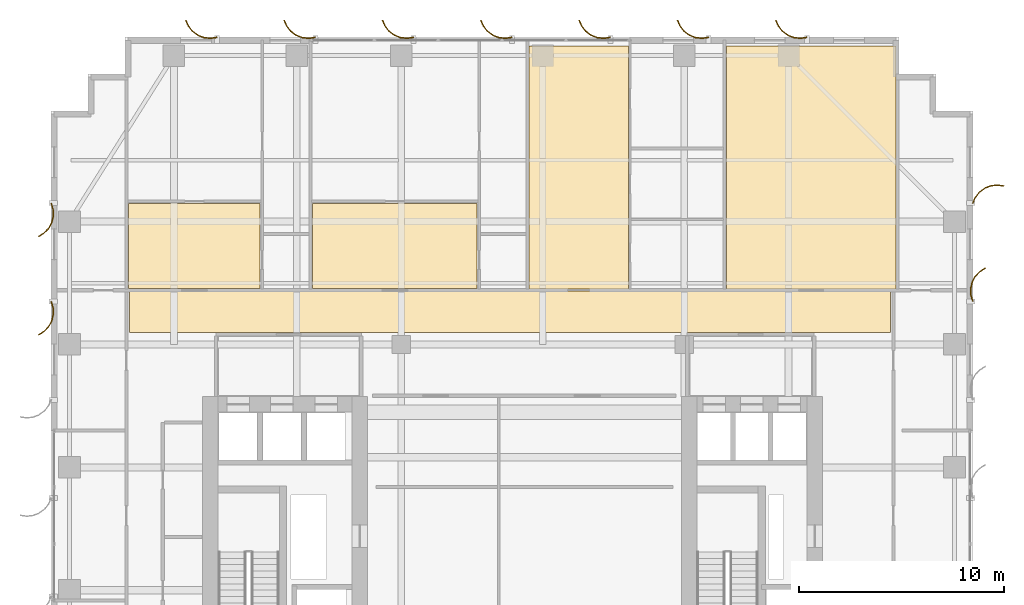
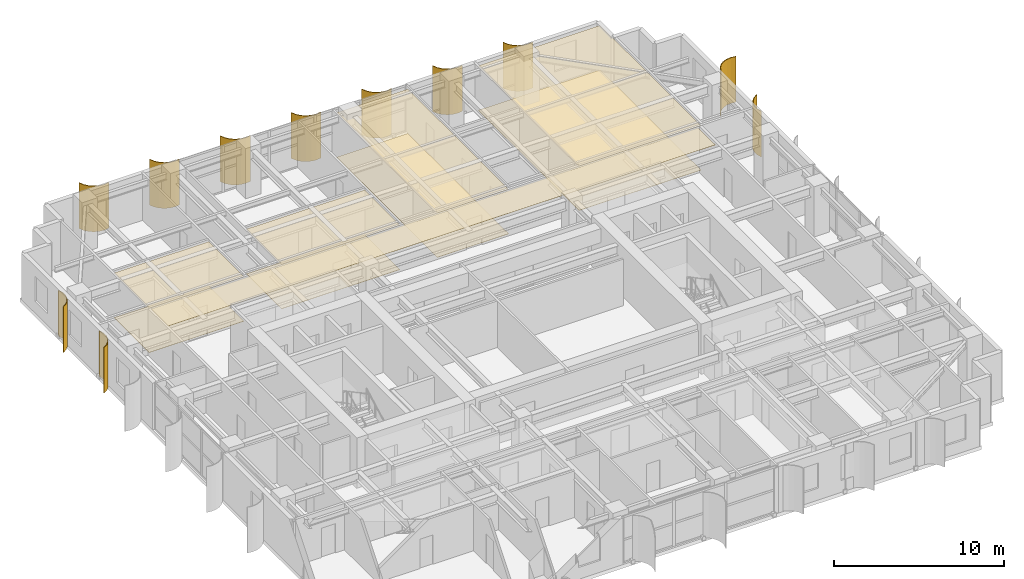
# One storey, part 22 of 22: 11 shading devices, 9 coverings.
"""IFC4 building model written with IfcOpenShell, lengths in metres."""

from ifc_helpers import new_model, si_unit, direction, frame, origin, place, context, subcontext, project, spatial, polyline, outline, extrude, source, transform, mapped, material, layer, layer_set, type_object, element, save


model = new_model("IFC4")

# Units and contexts
model_context = context("Model", 3, precision=1e-05, world=origin(), true_north=direction((0.0, 1.0)))
body_context = subcontext(model_context, "Body", "Model", "MODEL_VIEW")
ifc_project = project(units=[si_unit("LENGTHUNIT", "METRE"), si_unit("AREAUNIT", "SQUARE_METRE"), si_unit("VOLUMEUNIT", "CUBIC_METRE"), si_unit("PLANEANGLEUNIT", "RADIAN"), si_unit("MASSUNIT", "GRAM", prefix="KILO")], contexts=[model_context])

# Site, building, storey
site_placement = place(None, origin())
site = spatial("IfcSite", under=ifc_project, at=site_placement, CompositionType="ELEMENT")
building_placement = place(site_placement, origin())
building = spatial("IfcBuilding", under=site, at=building_placement, Name="Khoralis Quay Care Tower", CompositionType="ELEMENT")
storey_placement = place(building_placement, frame((0.0, 0.0, 94.5)))
storey = spatial("IfcBuildingStorey", under=building, at=storey_placement, Name="L24", CompositionType="ELEMENT", Elevation=94.5)

# Coverings
ifc_material_1 = material(Name="Mineral-fibre acoustic ceiling tile")
ifc_layer_1 = layer(ifc_material_1, 0.01806640625)
ifc_layer_set_1 = layer_set([ifc_layer_1], Name="Mineral-fibre acoustic ceiling tile")
covering_type_1 = type_object("IfcCoveringType", Name="COV-CEIL-AC18", PredefinedType="CEILING", material=ifc_layer_set_1)
covering_1_placement = place(storey_placement, frame((0.0, 0.0, 3.19189453125)))
element("IfcCovering", 1, at=covering_1_placement, inside=storey, type_object=covering_type_1, Name="Suspended Acoustic Ceiling SP-L24-CORR-N", PredefinedType="CEILING", context=body_context, shape_type="SweptSolid", body=[
    extrude(outline(polyline([(3.820068359375, 30.590087890625), (40.97998046875, 30.590087890625), (40.97998046875, 32.60009765625), (3.820068359375, 32.60009765625), (3.820068359375, 30.590087890625)])), origin(), (0.0, 0.0, 1.0), 0.01806640625),
])
covering_2_placement = place(storey_placement, frame((0.0, 0.0, 3.19189453125)))
element("IfcCovering", 2, at=covering_2_placement, inside=storey, type_object=covering_type_1, Name="Suspended Acoustic Ceiling SP-L24-NB-CARE0", PredefinedType="CEILING", context=body_context, shape_type="SweptSolid", body=[
    extrude(outline(polyline([(3.780029296875, 32.739990234375), (10.2099609375, 32.739990234375), (10.2099609375, 36.889892578125), (3.780029296875, 36.889892578125), (3.780029296875, 32.739990234375)])), origin(), (0.0, 0.0, 1.0), 0.01806640625),
])
covering_3_placement = place(storey_placement, frame((0.0, 0.0, 3.19189453125)))
element("IfcCovering", 3, at=covering_3_placement, inside=storey, type_object=covering_type_1, Name="Suspended Acoustic Ceiling SP-L24-NB-CARE1", PredefinedType="CEILING", context=body_context, shape_type="SweptSolid", body=[
    extrude(outline(polyline([(12.760009765625, 32.739990234375), (20.800048828125, 32.739990234375), (20.800048828125, 36.889892578125), (12.760009765625, 36.889892578125), (12.760009765625, 32.739990234375)])), origin(), (0.0, 0.0, 1.0), 0.01806640625),
])
covering_4_placement = place(storey_placement, frame((0.0, 0.0, 3.19189453125)))
element("IfcCovering", 4, at=covering_4_placement, inside=storey, type_object=covering_type_1, Name="Suspended Acoustic Ceiling SP-L24-NB-LIV2", PredefinedType="CEILING", context=body_context, shape_type="SweptSolid", body=[
    extrude(outline(polyline([(23.330078125, 32.719970703125), (28.177978515625, 32.719970703125), (28.177978515625, 44.580078125), (23.330078125, 44.580078125), (23.330078125, 32.719970703125)])), origin(), (0.0, 0.0, 1.0), 0.01806640625),
])
covering_5_placement = place(storey_placement, frame((0.0, 0.0, 3.19189453125)))
element("IfcCovering", 5, at=covering_5_placement, inside=storey, type_object=covering_type_1, Name="Suspended Acoustic Ceiling SP-L24-NB-COM3", PredefinedType="CEILING", context=body_context, shape_type="SweptSolid", body=[
    extrude(outline(polyline([(32.9599609375, 32.719970703125), (41.239990234375, 32.719970703125), (41.239990234375, 44.580078125), (32.9599609375, 44.580078125), (32.9599609375, 32.719970703125)])), origin(), (0.0, 0.0, 1.0), 0.01806640625),
])
ifc_material_2 = material(Name="Porcelain and non-slip vinyl flooring")
ifc_layer_2 = layer(ifc_material_2, 0.02001953125)
ifc_layer_set_2 = layer_set([ifc_layer_2], Name="Porcelain and non-slip vinyl flooring")
covering_type_2 = type_object("IfcCoveringType", Name="COV-FLOOR-20", PredefinedType="FLOORING", material=ifc_layer_set_2)
covering_6_placement = place(storey_placement, origin())
element("IfcCovering", 6, at=covering_6_placement, inside=storey, type_object=covering_type_2, Name="Resilient Healthcare Flooring SP-L24-NB-CARE0", PredefinedType="FLOORING", context=body_context, shape_type="SweptSolid", body=[
    extrude(outline(polyline([(3.780029296875, 32.739990234375), (10.2099609375, 32.739990234375), (10.2099609375, 36.889892578125), (3.780029296875, 36.889892578125), (3.780029296875, 32.739990234375)])), origin(), (0.0, 0.0, 1.0), 0.02001953125),
])
covering_7_placement = place(storey_placement, origin())
element("IfcCovering", 7, at=covering_7_placement, inside=storey, type_object=covering_type_2, Name="Resilient Healthcare Flooring SP-L24-NB-CARE1", PredefinedType="FLOORING", context=body_context, shape_type="SweptSolid", body=[
    extrude(outline(polyline([(12.760009765625, 32.739990234375), (20.800048828125, 32.739990234375), (20.800048828125, 36.889892578125), (12.760009765625, 36.889892578125), (12.760009765625, 32.739990234375)])), origin(), (0.0, 0.0, 1.0), 0.02001953125),
])
covering_8_placement = place(storey_placement, origin())
element("IfcCovering", 8, at=covering_8_placement, inside=storey, type_object=covering_type_2, Name="Resilient Healthcare Flooring SP-L24-NB-LIV2", PredefinedType="FLOORING", context=body_context, shape_type="SweptSolid", body=[
    extrude(outline(polyline([(23.330078125, 32.719970703125), (28.177978515625, 32.719970703125), (28.177978515625, 44.580078125), (23.330078125, 44.580078125), (23.330078125, 32.719970703125)])), origin(), (0.0, 0.0, 1.0), 0.02001953125),
])
covering_9_placement = place(storey_placement, origin())
element("IfcCovering", 9, at=covering_9_placement, inside=storey, type_object=covering_type_2, Name="Resilient Healthcare Flooring SP-L24-NB-COM3", PredefinedType="FLOORING", context=body_context, shape_type="SweptSolid", body=[
    extrude(outline(polyline([(32.9599609375, 32.719970703125), (41.239990234375, 32.719970703125), (41.239990234375, 44.580078125), (32.9599609375, 44.580078125), (32.9599609375, 32.719970703125)])), origin(), (0.0, 0.0, 1.0), 0.02001953125),
])

# Shading devices
ifc_material_3 = material(Name="Brushed pale anodised aluminium", Category="aluminium")
ifc_layer_3 = layer(ifc_material_3, 0.044921875)
ifc_layer_set_3 = layer_set([ifc_layer_3], Name="Brushed pale anodised aluminium")
shading_device_type = type_object("IfcShadingDeviceType", Name="SHD-FIN-1250", PredefinedType="USERDEFINED", material=ifc_layer_set_3)
shared_shape_1 = source(origin(), body_context, "Body", "SweptSolid", [
    extrude(outline(polyline([(0.0, 0.0), (-0.04833984375, 0.32275390625), (-0.01123046875, 0.64697265625), (0.1083984375, 0.950439453125), (0.302490234375, 1.212890625), (0.557861328125, 1.416015625), (0.85693359375, 1.546142578125), (0.869384765625, 1.5029296875), (0.5810546875, 1.37744140625), (0.334716796875, 1.181640625), (0.147705078125, 0.9287109375), (0.032470703125, 0.635986328125), (-0.003173828125, 0.323486328125), (0.043212890625, 0.012451171875), (0.0, 0.0)])), origin(), (0.0, 0.0, 1.0), 3.280029296875),
])
for number, where, z_axis, x_axis, name in (
    (10, (36.89990234375, 44.969970703125, 0.02001953125), (0.0, 0.0, 1.0), (0.0, 1.0, 0.0), "L24 Curved Solar Fin P1E10-01"),
    (11, (32.10009765625, 44.969970703125, 0.02001953125), (0.0, 0.0, 1.0), (0.0, 1.0, 0.0), "L24 Curved Solar Fin P1E10-02"),
    (12, (27.300048828125, 44.969970703125, 0.02001953125), (0.0, 0.0, 1.0), (0.0, 1.0, 0.0), "L24 Curved Solar Fin P1E10-03"),
    (13, (22.5, 44.969970703125, 0.02001953125), (0.0, 0.0, 1.0), (0.0, 1.0, 0.0), "L24 Curved Solar Fin P1E10-04"),
    (14, (17.699951171875, 44.969970703125, 0.02001953125), (0.0, 0.0, 1.0), (0.0, 1.0, 0.0), "L24 Curved Solar Fin P1E10-05"),
    (15, (12.89990234375, 44.969970703125, 0.02001953125), (0.0, 0.0, 1.0), (0.0, 1.0, 0.0), "L24 Curved Solar Fin P1E10-06"),
    (16, (8.10009765625, 44.969970703125, 0.02001953125), (0.0, 0.0, 1.0), (0.0, 1.0, 0.0), "L24 Curved Solar Fin P1E10-07"),
):
    element("IfcShadingDevice", number, at=place(storey_placement, frame(where, z_axis=z_axis, x_axis=x_axis)), inside=storey, type_object=shading_device_type, Name=name, ObjectType="FIN", PredefinedType="USERDEFINED", context=body_context, shape_type="MappedRepresentation", body=[
        mapped(shared_shape_1, transform((0.0, 0.0, 0.0), scale=1.0)),
    ])
shared_shape_2 = source(origin(), body_context, "Body", "SweptSolid", [
    extrude(outline(polyline([(0.0, 0.0), (-0.0927734375, 0.31298828125), (-0.101318359375, 0.63916015625), (-0.025146484375, 0.956298828125), (0.130615234375, 1.2431640625), (0.355224609375, 1.479736328125), (0.633544921875, 1.650390625), (0.65185546875, 1.609130859375), (0.383544921875, 1.44482421875), (0.1669921875, 1.216796875), (0.01708984375, 0.940185546875), (-0.056396484375, 0.63427734375), (-0.04833984375, 0.31982421875), (0.041015625, 0.018310546875), (0.0, 0.0)])), origin(), (0.0, 0.0, 1.0), 3.280029296875),
])
for number, where, z_axis, x_axis, name in (
    (17, (44.969970703125, 32.10009765625, 0.02001953125), (0.0, 0.0, 1.0), (1.0, 0.0, 0.0), "L24 Curved Solar Fin P1E5-06"),
    (18, (0.030029296875, 36.89990234375, 0.02001953125), (0.0, 0.0, 1.0), (-1.0, 0.0, 0.0), "L24 Curved Solar Fin P1E15-01"),
    (19, (0.030029296875, 32.10009765625, 0.02001953125), (0.0, 0.0, 1.0), (-1.0, 0.0, 0.0), "L24 Curved Solar Fin P1E15-02"),
):
    element("IfcShadingDevice", number, at=place(storey_placement, frame(where, z_axis=z_axis, x_axis=x_axis)), inside=storey, type_object=shading_device_type, Name=name, ObjectType="FIN", PredefinedType="USERDEFINED", context=body_context, shape_type="MappedRepresentation", body=[
        mapped(shared_shape_2, transform((0.0, 0.0, 0.0), scale=1.0)),
    ])
shared_shape_3 = source(origin(), body_context, "Body", "SweptSolid", [
    extrude(outline(polyline([(0.0, 0.0), (0.130126953125, 0.29931640625), (0.333251953125, 0.5546875), (0.595458984375, 0.748779296875), (0.899169921875, 0.868408203125), (1.223388671875, 0.9052734375), (1.546142578125, 0.85693359375), (1.53369140625, 0.813720703125), (1.22265625, 0.8603515625), (0.91015625, 0.82470703125), (0.617431640625, 0.70947265625), (0.364501953125, 0.522216796875), (0.168701171875, 0.276123046875), (0.043212890625, -0.012451171875), (0.0, 0.0)])), origin(), (0.0, 0.0, 1.0), 3.280029296875),
])
shading_device_placement = place(storey_placement, frame((44.969970703125, 36.89990234375, 0.02001953125), z_axis=(0.0, 0.0, 1.0), x_axis=(1.0, 0.0, 0.0)))
element("IfcShadingDevice", 20, at=shading_device_placement, inside=storey, type_object=shading_device_type, Name="L24 Curved Solar Fin P1E5-07", ObjectType="FIN", PredefinedType="USERDEFINED", context=body_context, shape_type="MappedRepresentation", body=[
    mapped(shared_shape_3, transform((0.0, 0.0, 0.0), scale=1.0)),
])

save(model, "model.ifc")
